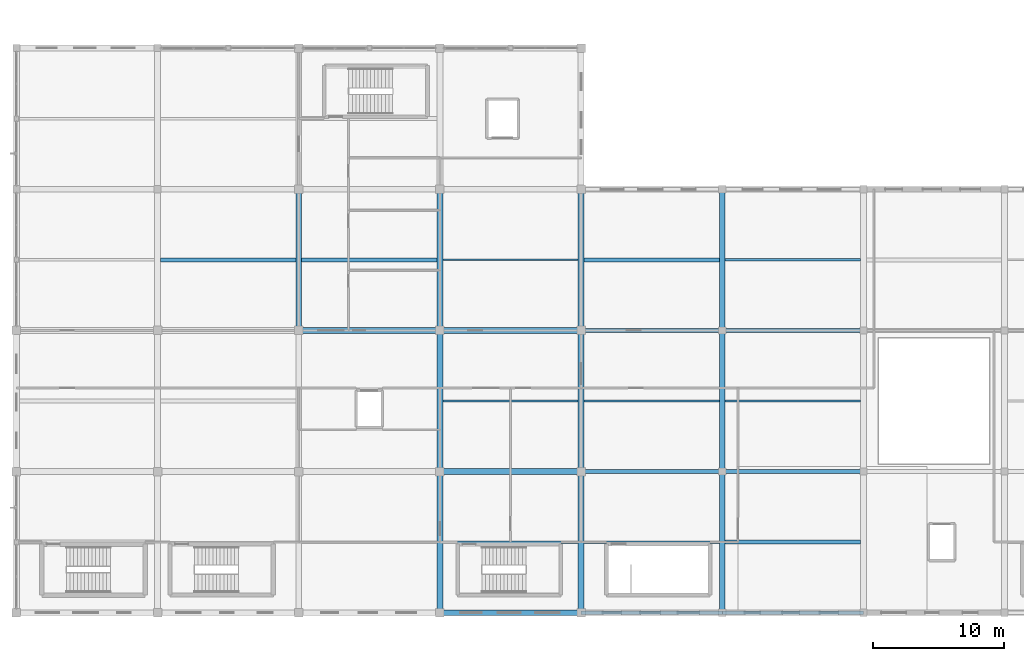
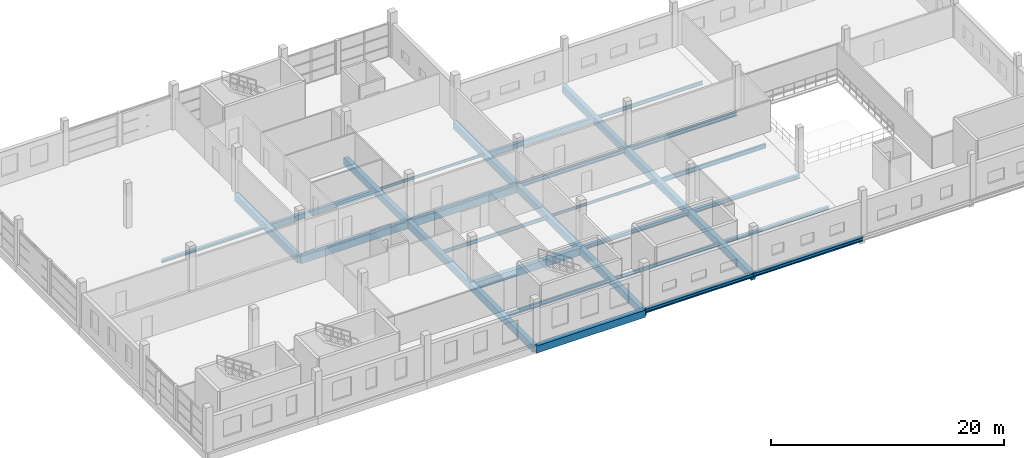
# One storey, part 6 of 24: 31 beams.
"""IFC4 building model written with IfcOpenShell, lengths in metres."""

import ifcopenshell
import ifcopenshell.guid

model = None  # the IFC model being written
_history = None  # IfcOwnerHistory: only IFC2X3 demands one
_inside = {}  # id of a spatial element -> (the spatial element, [elements in it])
_under = {}  # id of a project, library or spatial element -> (it, [spatial elements below it])
_declared = {}  # id of a project -> (the project, [libraries it declares])
_typed = {}  # id of a type object -> (the type object, [elements of that type])
_made_of = {}  # id of a material, layer set ... -> (it, [elements and type objects made of it])


def new_model(schema):
    """Start an empty IFC model of exactly this schema.

    Asked for "IFC4X3", IfcOpenShell would pick the latest addendum, in which some entities
    have other attributes; the version numbers below select the first issue.
    IFC2X3 requires an IfcOwnerHistory on every rooted entity: one is made here for all.
    """
    global model, _history
    if schema == "IFC4X3":
        model = ifcopenshell.file(schema_version=(4, 3, 0, 0))
    else:
        model = ifcopenshell.file(schema=schema)
    _inside.clear()
    _under.clear()
    _declared.clear()
    _typed.clear()
    _made_of.clear()
    _history = None
    if model.schema == "IFC2X3":
        org = make("IfcOrganization", Name="unknown")
        user = make(
            "IfcPersonAndOrganization",
            ThePerson=make("IfcPerson", FamilyName="unknown"),
            TheOrganization=org,
        )
        app = make(
            "IfcApplication",
            ApplicationDeveloper=org,
            Version="unknown",
            ApplicationFullName="unknown",
            ApplicationIdentifier="unknown",
        )
        _history = make(
            "IfcOwnerHistory",
            OwningUser=user,
            OwningApplication=app,
            ChangeAction="ADDED",
            CreationDate=0,
        )
    return model


def make(cls, **values):
    """One entity of the class cls with the attributes given. An attribute that is None is left unset."""
    return model.create_entity(
        cls, **{name: value for name, value in values.items() if value is not None}
    )


def rooted(cls, **values):
    """An entity with a GlobalId (a new one), such as an element, a storey or a relation."""
    return make(cls, GlobalId=ifcopenshell.guid.new(), OwnerHistory=_history, **values)


def si_unit(unit_type, name, prefix=None):
    """IfcSIUnit, for example si_unit("LENGTHUNIT", "METRE", prefix="MILLI")."""
    return make("IfcSIUnit", UnitType=unit_type, Prefix=prefix, Name=name)


def assignment(units):
    """IfcUnitAssignment: the units of a project."""
    return None if units is None else make("IfcUnitAssignment", Units=units)


def point(xyz):
    """IfcCartesianPoint."""
    return None if xyz is None else make("IfcCartesianPoint", Coordinates=xyz)


def direction(xyz):
    """IfcDirection."""
    return None if xyz is None else make("IfcDirection", DirectionRatios=xyz)


def frame(location, z_axis=None, x_axis=None):
    """IfcAxis2Placement3D, a coordinate frame: its origin and axes. An axis left out is left unset."""
    return make(
        "IfcAxis2Placement3D",
        Location=point(location),
        Axis=direction(z_axis),
        RefDirection=direction(x_axis),
    )


def frame_2d(location, x_axis=None):
    """IfcAxis2Placement2D, a coordinate frame in the plane: its origin and x axis."""
    return make(
        "IfcAxis2Placement2D", Location=point(location), RefDirection=direction(x_axis)
    )


def origin():
    """The frame at (0, 0, 0) with its axes left unset."""
    return frame((0.0, 0.0, 0.0))


def origin_2d():
    """The frame at (0, 0) in the plane with its x axis left unset."""
    return frame_2d((0.0, 0.0))


def place(relative_to, where):
    """IfcLocalPlacement: puts the frame where relative to a parent placement (None: the world)."""
    return make(
        "IfcLocalPlacement", PlacementRelTo=relative_to, RelativePlacement=where
    )


def context(
    kind, dimensions, precision=None, world=None, true_north=None, identifier=None
):
    """IfcGeometricRepresentationContext, for example the 3D "Model" context."""
    return make(
        "IfcGeometricRepresentationContext",
        ContextIdentifier=identifier,
        ContextType=kind,
        CoordinateSpaceDimension=dimensions,
        Precision=precision,
        WorldCoordinateSystem=world,
        TrueNorth=true_north,
    )


def subcontext(parent, identifier, kind, view, scale=None):
    """IfcGeometricRepresentationSubContext, for example "Body" below "Model"."""
    return make(
        "IfcGeometricRepresentationSubContext",
        ContextIdentifier=identifier,
        ContextType=kind,
        ParentContext=parent,
        TargetScale=scale,
        TargetView=view,
    )


def project(units=None, contexts=None):
    """IfcProject with its units and contexts."""
    return rooted(
        "IfcProject",
        Name="project",
        RepresentationContexts=contexts,
        UnitsInContext=assignment(units),
    )


def spatial(cls, under=None, at=None, **own):
    """A site, building, storey or space (cls), placed at a placement, below another one or the project."""
    s = rooted(cls, ObjectPlacement=at, **own)
    if under is not None:
        _under.setdefault(under.id(), (under, []))[1].append(s)
    return s


def profile(cls, at=None, kind="AREA", **sizes):
    """A parametric profile (cls). Its sizes go by their IFC names, for example OverallWidth=200.0."""
    return make(cls, ProfileType=kind, Position=at, **sizes)


def rectangle(**sizes):
    """IfcRectangleProfileDef."""
    return profile("IfcRectangleProfileDef", **sizes)


def i_section(**sizes):
    """IfcIShapeProfileDef."""
    return profile("IfcIShapeProfileDef", **sizes)


def extrude(swept, where, along, depth):
    """IfcExtrudedAreaSolid: the profile swept, set in the frame where, extruded along a direction by depth."""
    return make(
        "IfcExtrudedAreaSolid",
        SweptArea=swept,
        Position=where,
        ExtrudedDirection=direction(along),
        Depth=depth,
    )


def shape(context_of_items, identifier, shape_type, items):
    """IfcShapeRepresentation: the items that make up one representation, for example the "Body"."""
    return make(
        "IfcShapeRepresentation",
        ContextOfItems=context_of_items,
        RepresentationIdentifier=identifier,
        RepresentationType=shape_type,
        Items=items,
    )


def material(Name=None, Category=None):
    """IfcMaterial."""
    return make("IfcMaterial", Name=Name, Category=Category)


def material_profile(
    of_material, cross_section, Name=None, Category=None, Priority=None
):
    """IfcMaterialProfile: a cross section and its material."""
    return make(
        "IfcMaterialProfile",
        Name=Name,
        Material=of_material,
        Profile=cross_section,
        Priority=Priority,
        Category=Category,
    )


def profile_set(profiles, Name=None, composite=None):
    """IfcMaterialProfileSet."""
    return make(
        "IfcMaterialProfileSet",
        Name=Name,
        MaterialProfiles=profiles,
        CompositeProfile=composite,
    )


def made_of(thing, what):
    """Note that an element or type object is made of a material, layer set ...; save() writes the relation."""
    if what is not None:
        _made_of.setdefault(what.id(), (what, []))[1].append(thing)
    return thing


def type_object(cls, material=None, **own):
    """A type object (cls), such as IfcWallType, which elements share."""
    return made_of(rooted(cls, **own), material)


def element(
    cls,
    number,
    at=None,
    inside=None,
    cuts=None,
    type_object=None,
    material=None,
    context=None,
    identifier="Body",
    shape_type=None,
    held_by="IfcProductDefinitionShape",
    body=None,
    shapes=None,
    **own,
):
    """One element of the class cls, such as IfcWall. Its Tag is "e" and its number.

    at: its placement. inside: the storey or other place that contains it. cuts: it is an
    opening in that element (IfcRelVoidsElement). A single representation is given by context,
    identifier, shape_type and body (its items); several are given by shapes. held_by: the class
    of the entity that holds the representations. save() writes the other relations.
    """
    e = rooted(cls, Tag="e%d" % number, ObjectPlacement=at, **own)
    if body is not None:
        shapes = [shape(context, identifier, shape_type, body)]
    if shapes is not None:
        e.Representation = make(held_by, Representations=shapes)
    if inside is not None:
        _inside.setdefault(inside.id(), (inside, []))[1].append(e)
    if cuts is not None:
        rooted(
            "IfcRelVoidsElement", RelatingBuildingElement=cuts, RelatedOpeningElement=e
        )
    if type_object is not None:
        _typed.setdefault(type_object.id(), (type_object, []))[1].append(e)
    return made_of(e, material)


def aggregate(whole, parts):
    """IfcRelAggregates: a whole, such as a stair, and the parts it consists of."""
    return rooted("IfcRelAggregates", RelatingObject=whole, RelatedObjects=parts)


def save(model, path):
    """Write the relations noted so far, then the file.

    IfcRelAggregates (storeys below a building ...), IfcRelContainedInSpatialStructure (elements
    in a storey), IfcRelDefinesByType, IfcRelAssociatesMaterial and IfcRelDeclares: one each for
    every whole, place, type object, material and project.
    """
    for whole, parts in _under.values():
        aggregate(whole, parts)
    for where, things in _inside.values():
        rooted(
            "IfcRelContainedInSpatialStructure",
            RelatedElements=things,
            RelatingStructure=where,
        )
    for kind, things in _typed.values():
        rooted("IfcRelDefinesByType", RelatedObjects=things, RelatingType=kind)
    for what, things in _made_of.values():
        rooted("IfcRelAssociatesMaterial", RelatedObjects=things, RelatingMaterial=what)
    for by, libraries in _declared.values():
        rooted("IfcRelDeclares", RelatingContext=by, RelatedDefinitions=libraries)
    model.write(path)


model = new_model("IFC4")

# Units and contexts
model_context = context("Model", 3, precision=1e-05, world=origin(), true_north=direction((0.0, 1.0)))
body_context = subcontext(model_context, "Body", "Model", "MODEL_VIEW")
ifc_project = project(units=[si_unit("LENGTHUNIT", "METRE"), si_unit("AREAUNIT", "SQUARE_METRE"), si_unit("VOLUMEUNIT", "CUBIC_METRE"), si_unit("PLANEANGLEUNIT", "RADIAN"), si_unit("MASSUNIT", "GRAM", prefix="KILO")], contexts=[model_context])

# Site, building, storey
site_placement = place(None, origin())
site = spatial("IfcSite", under=ifc_project, at=site_placement, CompositionType="ELEMENT")
building_placement = place(site_placement, origin())
building = spatial("IfcBuilding", under=site, at=building_placement, Name="Zwinboog Wholesale Market", CompositionType="ELEMENT")
storey_placement = place(building_placement, frame((0.0, 0.0, 10.080078125)))
storey = spatial("IfcBuildingStorey", under=building, at=storey_placement, Name="L02", CompositionType="ELEMENT", Elevation=10.080078125)

# Beams
ifc_material_1 = material(Name="Precast concrete C45/55", Category="concrete")
ifc_material_profile_1 = material_profile(ifc_material_1, rectangle(XDim=0.449951171875, YDim=0.75, at=origin_2d()), Name="PC 450x750")
ifc_profile_set_1 = profile_set([ifc_material_profile_1], Name="Precast concrete C45/55")
beam_type_1 = type_object("IfcBeamType", Name="BT-04", PredefinedType="BEAM", material=ifc_profile_set_1)
for number, where, z_axis, x_axis, name in (
    (1, (162.0, 0.0, -0.70703125), (1.0, 0.0, 0.0), (0.0, 1.0, 0.0), "BG-04 (BMG-L02-1620-0000-0920)"),
    (2, (162.0, 10.800048828125, -0.70703125), (1.0, 0.0, 0.0), (0.0, 1.0, 0.0), "BG-04 (BMG-L02-1620-0108-0928)"),
    (3, (151.199951171875, 21.60009765625, -0.68017578125), (1.0, 0.0, 0.0), (0.0, 1.0, 0.0), "BG-04 (BMG-L02-1512-0216-0935)"),
    (4, (162.0, 21.60009765625, -0.70703125), (1.0, 0.0, 0.0), (0.0, 1.0, 0.0), "BG-04 (BMG-L02-1620-0216-0936)"),
):
    element("IfcBeam", number, at=place(storey_placement, frame(where, z_axis=z_axis, x_axis=x_axis)), inside=storey, type_object=beam_type_1, Name=name, PredefinedType="BEAM", context=body_context, shape_type="SweptSolid", body=[
        extrude(rectangle(XDim=0.449951171875, YDim=0.75, at=origin_2d()), origin(), (0.0, 0.0, 1.0), 10.800048828125),
    ])
beam_1_placement = place(storey_placement, frame((151.199951171875, 21.60009765625, -0.68017578125), z_axis=(0.0, 1.0, 0.0), x_axis=(-1.0, 0.0, 0.0)))
element("IfcBeam", 5, at=beam_1_placement, inside=storey, type_object=beam_type_1, Name="BG-04 (BMG-L02-1512-0216-0963)", PredefinedType="BEAM", context=body_context, shape_type="SweptSolid", body=[
    extrude(rectangle(XDim=0.449951171875, YDim=0.75, at=origin_2d()), origin(), (0.0, 0.0, 1.0), 10.7998046875),
])
for number, where, z_axis, x_axis, name in (
    (6, (162.0, 0.0, -0.68017578125), (0.0, 1.0, 0.0), (-1.0, 0.0, 0.0), "BG-04 (BMG-L02-1620-0000-0965)"),
    (7, (162.0, 10.800048828125, -0.68017578125), (0.0, 1.0, 0.0), (-1.0, 0.0, 0.0), "BG-04 (BMG-L02-1620-0108-0966)"),
):
    element("IfcBeam", number, at=place(storey_placement, frame(where, z_axis=z_axis, x_axis=x_axis)), inside=storey, type_object=beam_type_1, Name=name, PredefinedType="BEAM", context=body_context, shape_type="SweptSolid", body=[
        extrude(rectangle(XDim=0.449951171875, YDim=0.75, at=origin_2d()), origin(), (0.0, 0.0, 1.0), 10.800048828125),
    ])
beam_2_placement = place(storey_placement, frame((162.0, 21.60009765625, -0.68017578125), z_axis=(0.0, 1.0, 0.0), x_axis=(-1.0, 0.0, 0.0)))
element("IfcBeam", 8, at=beam_2_placement, inside=storey, type_object=beam_type_1, Name="BG-04 (BMG-L02-1620-0216-0967)", PredefinedType="BEAM", context=body_context, shape_type="SweptSolid", body=[
    extrude(rectangle(XDim=0.449951171875, YDim=0.75, at=origin_2d()), origin(), (0.0, 0.0, 1.0), 10.7998046875),
])
for number, where, z_axis, x_axis, name in (
    (9, (172.800048828125, 0.0, -0.70703125), (0.0, 1.0, 0.0), (-1.0, 0.0, 0.0), "BG-04 (BMG-L02-1728-0000-0969)"),
    (10, (172.800048828125, 10.800048828125, -0.70703125), (0.0, 1.0, 0.0), (-1.0, 0.0, 0.0), "BG-04 (BMG-L02-1728-0108-0970)"),
):
    element("IfcBeam", number, at=place(storey_placement, frame(where, z_axis=z_axis, x_axis=x_axis)), inside=storey, type_object=beam_type_1, Name=name, PredefinedType="BEAM", context=body_context, shape_type="SweptSolid", body=[
        extrude(rectangle(XDim=0.449951171875, YDim=0.75, at=origin_2d()), origin(), (0.0, 0.0, 1.0), 10.800048828125),
    ])
beam_3_placement = place(storey_placement, frame((172.800048828125, 21.60009765625, -0.70703125), z_axis=(0.0, 1.0, 0.0), x_axis=(-1.0, 0.0, 0.0)))
element("IfcBeam", 11, at=beam_3_placement, inside=storey, type_object=beam_type_1, Name="BG-04 (BMG-L02-1728-0216-0971)", PredefinedType="BEAM", context=body_context, shape_type="SweptSolid", body=[
    extrude(rectangle(XDim=0.449951171875, YDim=0.75, at=origin_2d()), origin(), (0.0, 0.0, 1.0), 10.7998046875),
])
for number, where, z_axis, x_axis, name in (
    (12, (183.60009765625, 0.0, -0.70703125), (0.0, 1.0, 0.0), (-1.0, 0.0, 0.0), "BG-04 (BMG-L02-1836-0000-0973)"),
    (13, (183.60009765625, 10.800048828125, -0.70703125), (0.0, 1.0, 0.0), (-1.0, 0.0, 0.0), "BG-04 (BMG-L02-1836-0108-0974)"),
):
    element("IfcBeam", number, at=place(storey_placement, frame(where, z_axis=z_axis, x_axis=x_axis)), inside=storey, type_object=beam_type_1, Name=name, PredefinedType="BEAM", context=body_context, shape_type="SweptSolid", body=[
        extrude(rectangle(XDim=0.449951171875, YDim=0.75, at=origin_2d()), origin(), (0.0, 0.0, 1.0), 10.800048828125),
    ])
beam_4_placement = place(storey_placement, frame((183.60009765625, 21.60009765625, -0.70703125), z_axis=(0.0, 1.0, 0.0), x_axis=(-1.0, 0.0, 0.0)))
element("IfcBeam", 14, at=beam_4_placement, inside=storey, type_object=beam_type_1, Name="BG-04 (BMG-L02-1836-0216-0975)", PredefinedType="BEAM", context=body_context, shape_type="SweptSolid", body=[
    extrude(rectangle(XDim=0.449951171875, YDim=0.75, at=origin_2d()), origin(), (0.0, 0.0, 1.0), 10.7998046875),
])
ifc_material_profile_2 = material_profile(ifc_material_1, rectangle(XDim=0.300048828125, YDim=0.5, at=origin_2d()), Name="PC 300x500")
ifc_profile_set_2 = profile_set([ifc_material_profile_2], Name="Precast concrete C45/55")
beam_type_2 = type_object("IfcBeamType", Name="BT-10", PredefinedType="JOIST", material=ifc_profile_set_2)
beam_5_placement = place(storey_placement, frame((173.02490234375, 27.0, -0.58203125), z_axis=(1.0, 0.0, 0.0), x_axis=(0.0, 1.0, 0.0)))
element("IfcBeam", 15, at=beam_5_placement, inside=storey, type_object=beam_type_2, Name="BJ-01 (BMG-L02-1730-0270-0987)", PredefinedType="JOIST", context=body_context, shape_type="SweptSolid", body=[
    extrude(rectangle(XDim=0.300048828125, YDim=0.5, at=origin_2d()), origin(), (0.0, 0.0, 1.0), 10.35009765625),
])
beam_6_placement = place(storey_placement, frame((151.425048828125, 27.0, -0.55517578125), z_axis=(1.0, 0.0, 0.0), x_axis=(0.0, 1.0, 0.0)))
element("IfcBeam", 16, at=beam_6_placement, inside=storey, type_object=beam_type_2, Name="BJ-01 (BMG-L02-1514-0270-1004)", PredefinedType="JOIST", context=body_context, shape_type="SweptSolid", body=[
    extrude(rectangle(XDim=0.300048828125, YDim=0.5, at=origin_2d()), origin(), (0.0, 0.0, 1.0), 10.349853515625),
])
ifc_material_2 = material(Name="Steel S355", Category="steel")
ifc_material_profile_3 = material_profile(ifc_material_2, i_section(OverallWidth=0.300048828125, OverallDepth=0.39990234375, WebThickness=0.013427734375, FlangeThickness=0.02392578125, FilletRadius=0.027099609375, at=origin_2d()), Name="HEB 400")
ifc_profile_set_3 = profile_set([ifc_material_profile_3], Name="Steel S355")
beam_type_3 = type_object("IfcBeamType", Name="BT-15", PredefinedType="BEAM", material=ifc_profile_set_3)
beam_7_placement = place(storey_placement, frame((172.800048828125, 0.0, -0.531982421875), z_axis=(1.0, 0.0, 0.0), x_axis=(0.0, 1.0, 0.0)))
element("IfcBeam", 17, at=beam_7_placement, inside=storey, type_object=beam_type_3, Name="SB-02 (BMG-L02-1728-0000-0921)", PredefinedType="BEAM", context=body_context, shape_type="SweptSolid", body=[
    extrude(i_section(OverallWidth=0.300048828125, OverallDepth=0.39990234375, WebThickness=0.013427734375, FlangeThickness=0.02392578125, FilletRadius=0.027099609375, at=origin_2d()), origin(), (0.0, 0.0, 1.0), 10.800048828125),
])
beam_8_placement = place(storey_placement, frame((183.60009765625, 0.0, -0.531982421875), z_axis=(1.0, 0.0, 0.0), x_axis=(0.0, 1.0, 0.0)))
element("IfcBeam", 18, at=beam_8_placement, inside=storey, type_object=beam_type_3, Name="SB-02 (BMG-L02-1836-0000-0922)", PredefinedType="BEAM", context=body_context, shape_type="SweptSolid", body=[
    extrude(i_section(OverallWidth=0.300048828125, OverallDepth=0.39990234375, WebThickness=0.013427734375, FlangeThickness=0.02392578125, FilletRadius=0.027099609375, at=origin_2d()), origin(), (0.0, 0.0, 1.0), 10.7998046875),
])
beam_9_placement = place(storey_placement, frame((172.800048828125, 10.800048828125, -0.531982421875), z_axis=(1.0, 0.0, 0.0), x_axis=(0.0, 1.0, 0.0)))
element("IfcBeam", 19, at=beam_9_placement, inside=storey, type_object=beam_type_3, Name="SB-02 (BMG-L02-1728-0108-0929)", PredefinedType="BEAM", context=body_context, shape_type="SweptSolid", body=[
    extrude(i_section(OverallWidth=0.300048828125, OverallDepth=0.39990234375, WebThickness=0.013427734375, FlangeThickness=0.02392578125, FilletRadius=0.027099609375, at=origin_2d()), origin(), (0.0, 0.0, 1.0), 10.800048828125),
])
beam_10_placement = place(storey_placement, frame((183.60009765625, 10.800048828125, -0.531982421875), z_axis=(1.0, 0.0, 0.0), x_axis=(0.0, 1.0, 0.0)))
element("IfcBeam", 20, at=beam_10_placement, inside=storey, type_object=beam_type_3, Name="SB-02 (BMG-L02-1836-0108-0930)", PredefinedType="BEAM", context=body_context, shape_type="SweptSolid", body=[
    extrude(i_section(OverallWidth=0.300048828125, OverallDepth=0.39990234375, WebThickness=0.013427734375, FlangeThickness=0.02392578125, FilletRadius=0.027099609375, at=origin_2d()), origin(), (0.0, 0.0, 1.0), 10.7998046875),
])
beam_11_placement = place(storey_placement, frame((172.800048828125, 21.60009765625, -0.531982421875), z_axis=(1.0, 0.0, 0.0), x_axis=(0.0, 1.0, 0.0)))
element("IfcBeam", 21, at=beam_11_placement, inside=storey, type_object=beam_type_3, Name="SB-02 (BMG-L02-1728-0216-0937)", PredefinedType="BEAM", context=body_context, shape_type="SweptSolid", body=[
    extrude(i_section(OverallWidth=0.300048828125, OverallDepth=0.39990234375, WebThickness=0.013427734375, FlangeThickness=0.02392578125, FilletRadius=0.027099609375, at=origin_2d()), origin(), (0.0, 0.0, 1.0), 10.800048828125),
])
beam_12_placement = place(storey_placement, frame((183.60009765625, 21.60009765625, -0.531982421875), z_axis=(1.0, 0.0, 0.0), x_axis=(0.0, 1.0, 0.0)))
element("IfcBeam", 22, at=beam_12_placement, inside=storey, type_object=beam_type_3, Name="SB-02 (BMG-L02-1836-0216-0938)", PredefinedType="BEAM", context=body_context, shape_type="SweptSolid", body=[
    extrude(i_section(OverallWidth=0.300048828125, OverallDepth=0.39990234375, WebThickness=0.013427734375, FlangeThickness=0.02392578125, FilletRadius=0.027099609375, at=origin_2d()), origin(), (0.0, 0.0, 1.0), 10.7998046875),
])
ifc_material_profile_4 = material_profile(ifc_material_2, i_section(OverallWidth=0.300048828125, OverallDepth=0.2900390625, WebThickness=0.008544921875, FlangeThickness=0.013916015625, FilletRadius=0.027099609375, at=origin_2d()), Name="HEA 300")
ifc_profile_set_4 = profile_set([ifc_material_profile_4], Name="Steel S355")
beam_type_4 = type_object("IfcBeamType", Name="BT-18", PredefinedType="JOIST", material=ifc_profile_set_4)
for number, where, z_axis, x_axis, name in (
    (23, (183.824951171875, 5.39990234375, -0.47705078125), (1.0, 0.0, 0.0), (0.0, 1.0, 0.0), "SJ-01 (BMG-L02-1838-0054-0988)"),
    (24, (140.625, 27.0, -0.4501953125), (1.0, 0.0, 0.0), (0.0, 1.0, 0.0), "SJ-01 (BMG-L02-1406-0270-1001)"),
):
    element("IfcBeam", number, at=place(storey_placement, frame(where, z_axis=z_axis, x_axis=x_axis)), inside=storey, type_object=beam_type_4, Name=name, PredefinedType="JOIST", context=body_context, shape_type="SweptSolid", body=[
        extrude(i_section(OverallWidth=0.300048828125, OverallDepth=0.2900390625, WebThickness=0.008544921875, FlangeThickness=0.013916015625, FilletRadius=0.027099609375, at=origin_2d()), origin(), (0.0, 0.0, 1.0), 10.35009765625),
    ])
ifc_material_profile_5 = material_profile(ifc_material_2, i_section(OverallWidth=0.18994140625, OverallDepth=0.449951171875, WebThickness=0.009521484375, FlangeThickness=0.0146484375, FilletRadius=0.02099609375, at=origin_2d()), Name="IPE 450")
ifc_profile_set_5 = profile_set([ifc_material_profile_5], Name="Steel S355")
beam_type_5 = type_object("IfcBeamType", Name="BT-19", PredefinedType="JOIST", material=ifc_profile_set_5)
beam_13_placement = place(storey_placement, frame((183.824951171875, 16.199951171875, -0.55712890625), z_axis=(1.0, 0.0, 0.0), x_axis=(0.0, 1.0, 0.0)))
element("IfcBeam", 25, at=beam_13_placement, inside=storey, type_object=beam_type_5, Name="SJ-02 (BMG-L02-1838-0162-0989)", PredefinedType="JOIST", context=body_context, shape_type="SweptSolid", body=[
    extrude(i_section(OverallWidth=0.18994140625, OverallDepth=0.449951171875, WebThickness=0.009521484375, FlangeThickness=0.0146484375, FilletRadius=0.02099609375, at=origin_2d()), origin(), (0.0, 0.0, 1.0), 10.35009765625),
])
beam_14_placement = place(storey_placement, frame((162.22509765625, 5.39990234375, -0.55712890625), z_axis=(1.0, 0.0, 0.0), x_axis=(0.0, 1.0, 0.0)))
element("IfcBeam", 26, at=beam_14_placement, inside=storey, type_object=beam_type_5, Name="SJ-02 (BMG-L02-1622-0054-1006)", PredefinedType="JOIST", context=body_context, shape_type="SweptSolid", body=[
    extrude(i_section(OverallWidth=0.18994140625, OverallDepth=0.449951171875, WebThickness=0.009521484375, FlangeThickness=0.0146484375, FilletRadius=0.02099609375, at=origin_2d()), origin(), (0.0, 0.0, 1.0), 10.349853515625),
])
ifc_material_profile_6 = material_profile(ifc_material_2, i_section(OverallWidth=0.169921875, OverallDepth=0.360107421875, WebThickness=0.008056640625, FlangeThickness=0.0126953125, FilletRadius=0.01806640625, at=origin_2d()), Name="IPE 360")
ifc_profile_set_6 = profile_set([ifc_material_profile_6], Name="Steel S355")
beam_type_6 = type_object("IfcBeamType", Name="BT-20", PredefinedType="JOIST", material=ifc_profile_set_6)
for number, where, z_axis, x_axis, name in (
    (27, (173.02490234375, 5.39990234375, -0.511962890625), (1.0, 0.0, 0.0), (0.0, 1.0, 0.0), "SJ-03 (BMG-L02-1730-0054-0985)"),
    (28, (183.824951171875, 27.0, -0.511962890625), (1.0, 0.0, 0.0), (0.0, 1.0, 0.0), "SJ-03 (BMG-L02-1838-0270-0990)"),
):
    element("IfcBeam", number, at=place(storey_placement, frame(where, z_axis=z_axis, x_axis=x_axis)), inside=storey, type_object=beam_type_6, Name=name, PredefinedType="JOIST", context=body_context, shape_type="SweptSolid", body=[
        extrude(i_section(OverallWidth=0.169921875, OverallDepth=0.360107421875, WebThickness=0.008056640625, FlangeThickness=0.0126953125, FilletRadius=0.01806640625, at=origin_2d()), origin(), (0.0, 0.0, 1.0), 10.35009765625),
    ])
beam_15_placement = place(storey_placement, frame((162.22509765625, 16.199951171875, -0.511962890625), z_axis=(1.0, 0.0, 0.0), x_axis=(0.0, 1.0, 0.0)))
element("IfcBeam", 29, at=beam_15_placement, inside=storey, type_object=beam_type_6, Name="SJ-03 (BMG-L02-1622-0162-1007)", PredefinedType="JOIST", context=body_context, shape_type="SweptSolid", body=[
    extrude(i_section(OverallWidth=0.169921875, OverallDepth=0.360107421875, WebThickness=0.008056640625, FlangeThickness=0.0126953125, FilletRadius=0.01806640625, at=origin_2d()), origin(), (0.0, 0.0, 1.0), 10.349853515625),
])
ifc_material_profile_7 = material_profile(ifc_material_2, i_section(OverallWidth=0.135009765625, OverallDepth=0.27001953125, WebThickness=0.006591796875, FlangeThickness=0.01025390625, FilletRadius=0.014892578125, at=origin_2d()), Name="IPE 270")
ifc_profile_set_7 = profile_set([ifc_material_profile_7], Name="Steel S355")
beam_type_7 = type_object("IfcBeamType", Name="BT-21", PredefinedType="JOIST", material=ifc_profile_set_7)
beam_16_placement = place(storey_placement, frame((173.02490234375, 16.199951171875, -0.467041015625), z_axis=(1.0, 0.0, 0.0), x_axis=(0.0, 1.0, 0.0)))
element("IfcBeam", 30, at=beam_16_placement, inside=storey, type_object=beam_type_7, Name="SJ-04 (BMG-L02-1730-0162-0986)", PredefinedType="JOIST", context=body_context, shape_type="SweptSolid", body=[
    extrude(i_section(OverallWidth=0.135009765625, OverallDepth=0.27001953125, WebThickness=0.006591796875, FlangeThickness=0.01025390625, FilletRadius=0.014892578125, at=origin_2d()), origin(), (0.0, 0.0, 1.0), 10.35009765625),
])
beam_17_placement = place(storey_placement, frame((162.22509765625, 27.0, -0.467041015625), z_axis=(1.0, 0.0, 0.0), x_axis=(0.0, 1.0, 0.0)))
element("IfcBeam", 31, at=beam_17_placement, inside=storey, type_object=beam_type_7, Name="SJ-04 (BMG-L02-1622-0270-1008)", PredefinedType="JOIST", context=body_context, shape_type="SweptSolid", body=[
    extrude(i_section(OverallWidth=0.135009765625, OverallDepth=0.27001953125, WebThickness=0.006591796875, FlangeThickness=0.01025390625, FilletRadius=0.014892578125, at=origin_2d()), origin(), (0.0, 0.0, 1.0), 10.349853515625),
])

save(model, "model.ifc")
